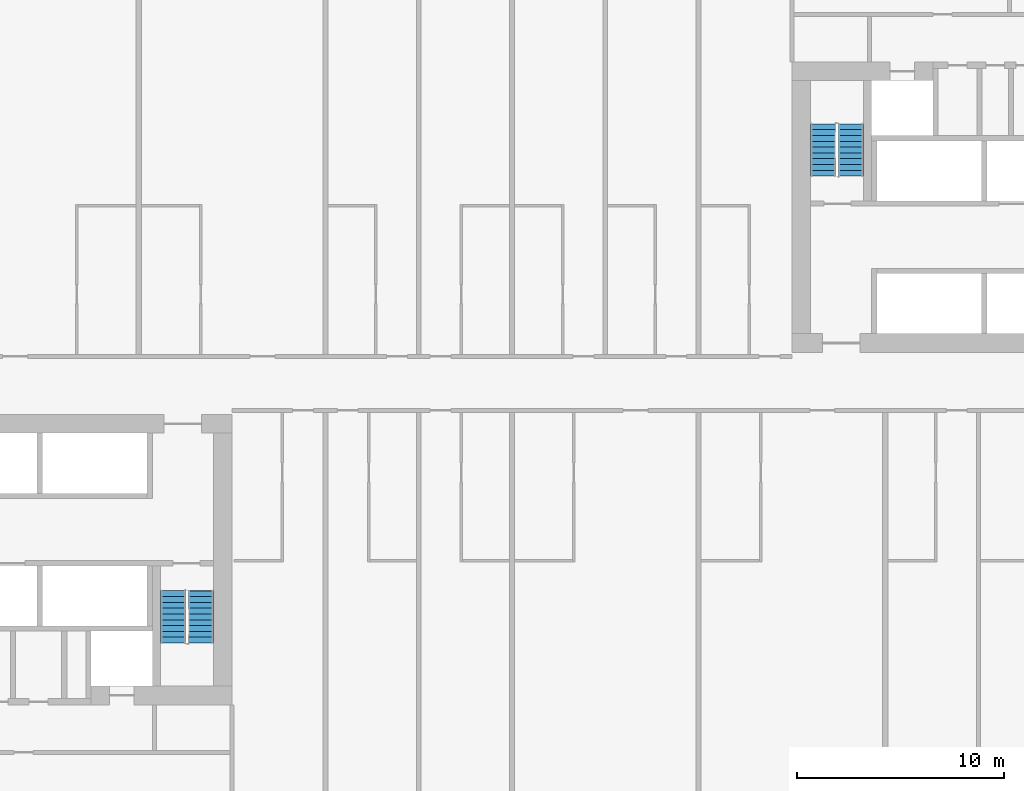
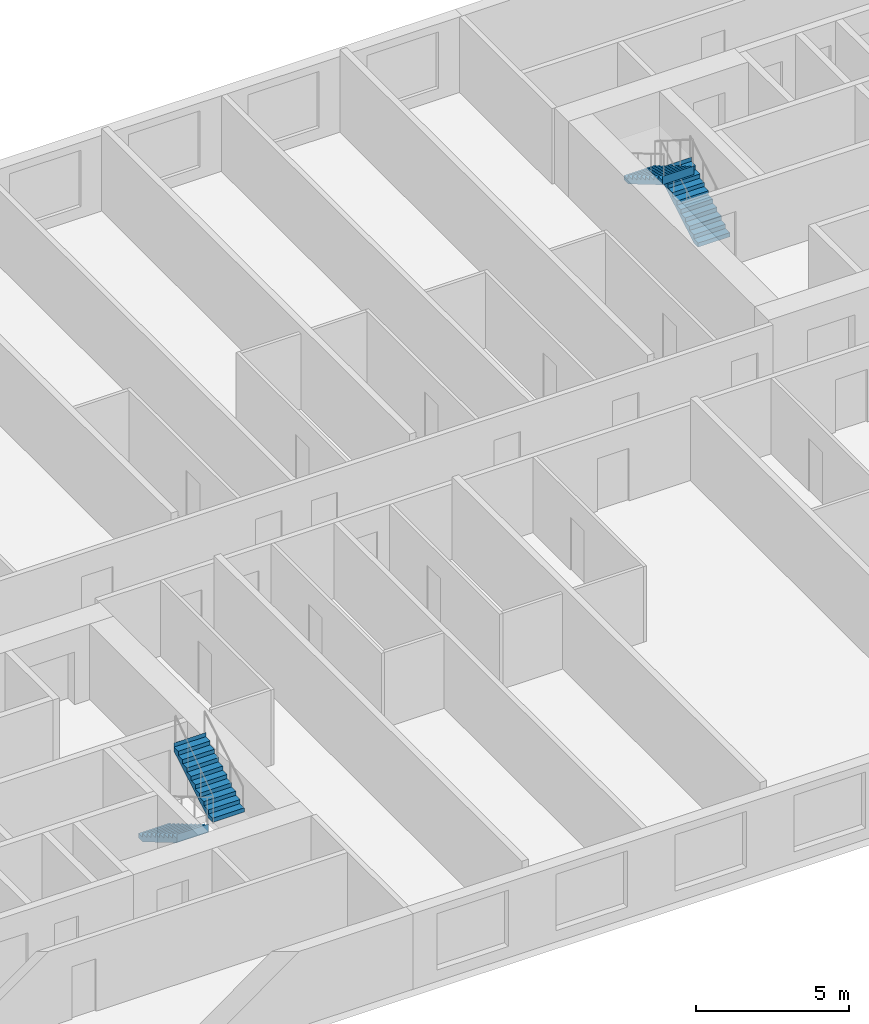
# One storey, part 10 of 12: 4 stair flights, 2 elements without a shape of their own.
"""IFC4 building model written with IfcOpenShell, lengths in metres."""

from ifc_helpers import new_model, si_unit, direction, frame, origin, place, context, subcontext, project, spatial, faceted_brep, material, type_object, element, aggregate, save


model = new_model("IFC4")

# Units and contexts
model_context = context("Model", 3, precision=1e-05, world=origin(), true_north=direction((0.0, 1.0)))
body_context = subcontext(model_context, "Body", "Model", "MODEL_VIEW")
ifc_project = project(units=[si_unit("LENGTHUNIT", "METRE"), si_unit("AREAUNIT", "SQUARE_METRE"), si_unit("VOLUMEUNIT", "CUBIC_METRE"), si_unit("PLANEANGLEUNIT", "RADIAN"), si_unit("MASSUNIT", "GRAM", prefix="KILO")], contexts=[model_context])

# Site, building, storey
site_placement = place(None, origin())
site = spatial("IfcSite", under=ifc_project, at=site_placement, CompositionType="ELEMENT")
building_placement = place(site_placement, origin())
building = spatial("IfcBuilding", under=site, at=building_placement, Name="Kajstack Hotel Tower", CompositionType="ELEMENT")
storey_placement = place(building_placement, frame((0.0, 0.0, 76.5)))
storey = spatial("IfcBuildingStorey", under=building, at=storey_placement, Name="L14", CompositionType="ELEMENT", Elevation=76.5)

# Stair, stair flights
ifc_material = material(Name="Concrete C40/50", Category="concrete")
stair_type = type_object("IfcStairType", Name="Exit stair 1200", PredefinedType="HALF_TURN_STAIR", material=ifc_material)
stair_1_placement = place(storey_placement, origin())
stair_1 = element("IfcStair", 1, at=stair_1_placement, inside=storey, type_object=stair_type, Name="L14 stair W2", PredefinedType="HALF_TURN_STAIR")
stair_flight_type = type_object("IfcStairFlightType", Name="Exit stair flight 1200", PredefinedType="STRAIGHT", material=ifc_material)
stair_flight_1_placement = place(storey_placement, frame((-16.35009765625, -10.0, 0.0), z_axis=(0.0, 0.0, 1.0), x_axis=(0.0, -1.0, 0.0)))
stair_flight_1 = element("IfcStairFlight", 2, at=stair_flight_1_placement, type_object=stair_flight_type, Name="W2 flight 1", NumberOfRisers=10, NumberOfTreads=9, PredefinedType="STRAIGHT", RiserHeight=0.165, TreadLength=0.28, context=body_context, shape_type="Brep", body=[
    faceted_brep([(0.295654296875, -0.60009765625, 0.0), (2.5205078125, -0.60009765625, 1.31103515625), (2.5205078125, -0.60009765625, 1.64990234375), (2.52001953125, -0.60009765625, 1.64990234375), (2.52001953125, -0.60009765625, 1.485107421875), (2.239990234375, -0.60009765625, 1.485107421875), (2.239990234375, -0.60009765625, 1.320068359375), (1.9599609375, -0.60009765625, 1.320068359375), (1.9599609375, -0.60009765625, 1.155029296875), (1.679931640625, -0.60009765625, 1.155029296875), (1.679931640625, -0.60009765625, 0.989990234375), (1.39990234375, -0.60009765625, 0.989990234375), (1.39990234375, -0.60009765625, 0.824951171875), (1.1201171875, -0.60009765625, 0.824951171875), (1.1201171875, -0.60009765625, 0.659912109375), (0.840087890625, -0.60009765625, 0.659912109375), (0.840087890625, -0.60009765625, 0.4951171875), (0.56005859375, -0.60009765625, 0.4951171875), (0.56005859375, -0.60009765625, 0.330078125), (0.280029296875, -0.60009765625, 0.330078125), (0.280029296875, -0.60009765625, 0.1650390625), (-0.00048828125, -0.60009765625, 0.1650390625), (-0.00048828125, -0.60009765625, 0.0), (-0.00048828125, 0.60009765625, 0.0), (-0.00048828125, 0.60009765625, 0.1650390625), (0.280029296875, 0.60009765625, 0.1650390625), (0.280029296875, 0.60009765625, 0.330078125), (0.56005859375, 0.60009765625, 0.330078125), (0.56005859375, 0.60009765625, 0.4951171875), (0.840087890625, 0.60009765625, 0.4951171875), (0.840087890625, 0.60009765625, 0.659912109375), (1.1201171875, 0.60009765625, 0.659912109375), (1.1201171875, 0.60009765625, 0.824951171875), (1.39990234375, 0.60009765625, 0.824951171875), (1.39990234375, 0.60009765625, 0.989990234375), (1.679931640625, 0.60009765625, 0.989990234375), (1.679931640625, 0.60009765625, 1.155029296875), (1.9599609375, 0.60009765625, 1.155029296875), (1.9599609375, 0.60009765625, 1.320068359375), (2.239990234375, 0.60009765625, 1.320068359375), (2.239990234375, 0.60009765625, 1.485107421875), (2.52001953125, 0.60009765625, 1.485107421875), (2.52001953125, 0.60009765625, 1.64990234375), (2.5205078125, 0.60009765625, 1.64990234375), (2.5205078125, 0.60009765625, 1.31103515625), (0.295654296875, 0.60009765625, 0.0), (-0.00048828125, -0.300048828125, 0.1650390625), (-0.00048828125, 0.0, 0.1650390625), (-0.00048828125, 0.300048828125, 0.1650390625), (-0.00048828125, 0.300048828125, 0.0), (-0.00048828125, 0.0, 0.0), (-0.00048828125, -0.300048828125, 0.0), (0.280029296875, -0.300048828125, 0.1650390625), (0.280029296875, 0.0, 0.1650390625), (0.280029296875, 0.300048828125, 0.1650390625), (0.280029296875, -0.300048828125, 0.330078125), (0.280029296875, 0.0, 0.330078125), (0.280029296875, 0.300048828125, 0.330078125), (0.56005859375, -0.300048828125, 0.330078125), (0.56005859375, 0.0, 0.330078125), (0.56005859375, 0.300048828125, 0.330078125), (0.56005859375, -0.300048828125, 0.4951171875), (0.56005859375, 0.0, 0.4951171875), (0.56005859375, 0.300048828125, 0.4951171875), (0.840087890625, -0.300048828125, 0.4951171875), (0.840087890625, 0.0, 0.4951171875), (0.840087890625, 0.300048828125, 0.4951171875), (0.840087890625, -0.300048828125, 0.659912109375), (0.840087890625, 0.0, 0.659912109375), (0.840087890625, 0.300048828125, 0.659912109375), (1.1201171875, -0.300048828125, 0.659912109375), (1.1201171875, 0.0, 0.659912109375), (1.1201171875, 0.300048828125, 0.659912109375), (1.1201171875, -0.300048828125, 0.824951171875), (1.1201171875, 0.0, 0.824951171875), (1.1201171875, 0.300048828125, 0.824951171875), (1.39990234375, -0.300048828125, 0.824951171875), (1.39990234375, 0.0, 0.824951171875), (1.39990234375, 0.300048828125, 0.824951171875), (1.39990234375, -0.300048828125, 0.989990234375), (1.39990234375, 0.0, 0.989990234375), (1.39990234375, 0.300048828125, 0.989990234375), (1.679931640625, -0.300048828125, 0.989990234375), (1.679931640625, 0.0, 0.989990234375), (1.679931640625, 0.300048828125, 0.989990234375), (1.679931640625, -0.300048828125, 1.155029296875), (1.679931640625, 0.0, 1.155029296875), (1.679931640625, 0.300048828125, 1.155029296875), (1.9599609375, -0.300048828125, 1.155029296875), (1.9599609375, 0.0, 1.155029296875), (1.9599609375, 0.300048828125, 1.155029296875), (1.9599609375, -0.300048828125, 1.320068359375), (1.9599609375, 0.0, 1.320068359375), (1.9599609375, 0.300048828125, 1.320068359375), (2.239990234375, -0.300048828125, 1.320068359375), (2.239990234375, 0.0, 1.320068359375), (2.239990234375, 0.300048828125, 1.320068359375), (2.239990234375, -0.300048828125, 1.485107421875), (2.239990234375, 0.0, 1.485107421875), (2.239990234375, 0.300048828125, 1.485107421875), (2.52001953125, -0.300048828125, 1.485107421875), (2.52001953125, 0.0, 1.485107421875), (2.52001953125, 0.300048828125, 1.485107421875), (2.52001953125, -0.300048828125, 1.64990234375), (2.52001953125, 0.0, 1.64990234375), (2.52001953125, 0.300048828125, 1.64990234375), (2.5205078125, -0.300048828125, 1.64990234375), (2.5205078125, 0.0, 1.64990234375), (2.5205078125, 0.300048828125, 1.64990234375), (2.5205078125, -0.300048828125, 1.31103515625), (2.5205078125, 0.0, 1.31103515625), (2.5205078125, 0.300048828125, 1.31103515625), (0.295654296875, -0.300048828125, 0.0), (0.295654296875, 0.0, 0.0), (0.295654296875, 0.300048828125, 0.0)], [[[0, 1, 2, 3, 4, 5, 6, 7, 8, 9, 10, 11, 12, 13, 14, 15, 16, 17, 18, 19, 20, 21, 22]], [[23, 24, 25, 26, 27, 28, 29, 30, 31, 32, 33, 34, 35, 36, 37, 38, 39, 40, 41, 42, 43, 44, 45]], [[21, 46, 47, 48, 24, 23, 49, 50, 51, 22]], [[20, 52, 53, 54, 25, 24, 48, 47, 46, 21]], [[19, 55, 56, 57, 26, 25, 54, 53, 52, 20]], [[18, 58, 59, 60, 27, 26, 57, 56, 55, 19]], [[17, 61, 62, 63, 28, 27, 60, 59, 58, 18]], [[16, 64, 65, 66, 29, 28, 63, 62, 61, 17]], [[15, 67, 68, 69, 30, 29, 66, 65, 64, 16]], [[14, 70, 71, 72, 31, 30, 69, 68, 67, 15]], [[13, 73, 74, 75, 32, 31, 72, 71, 70, 14]], [[12, 76, 77, 78, 33, 32, 75, 74, 73, 13]], [[11, 79, 80, 81, 34, 33, 78, 77, 76, 12]], [[10, 82, 83, 84, 35, 34, 81, 80, 79, 11]], [[9, 85, 86, 87, 36, 35, 84, 83, 82, 10]], [[8, 88, 89, 90, 37, 36, 87, 86, 85, 9]], [[7, 91, 92, 93, 38, 37, 90, 89, 88, 8]], [[6, 94, 95, 96, 39, 38, 93, 92, 91, 7]], [[5, 97, 98, 99, 40, 39, 96, 95, 94, 6]], [[4, 100, 101, 102, 41, 40, 99, 98, 97, 5]], [[3, 103, 104, 105, 42, 41, 102, 101, 100, 4]], [[2, 106, 107, 108, 43, 42, 105, 104, 103, 3]], [[1, 109, 110, 111, 44, 43, 108, 107, 106, 2]], [[0, 112, 113, 114, 45, 44, 111, 110, 109, 1]], [[22, 51, 50, 49, 23, 45, 114, 113, 112, 0]]]),
])
stair_flight_2_placement = place(storey_placement, frame((-15.0, -12.52001953125, 1.64990234375), z_axis=(0.0, 0.0, 1.0), x_axis=(0.0, 1.0, 0.0)))
stair_flight_2 = element("IfcStairFlight", 3, at=stair_flight_2_placement, type_object=stair_flight_type, Name="W2 flight 2", NumberOfRisers=10, NumberOfTreads=9, PredefinedType="STRAIGHT", RiserHeight=0.165, TreadLength=0.28, context=body_context, shape_type="Brep", body=[
    faceted_brep([(0.295654296875, -0.60009765625, 0.0), (2.5205078125, -0.60009765625, 1.31103515625), (2.5205078125, -0.60009765625, 1.64990234375), (2.52001953125, -0.60009765625, 1.64990234375), (2.52001953125, -0.60009765625, 1.485107421875), (2.239990234375, -0.60009765625, 1.485107421875), (2.239990234375, -0.60009765625, 1.320068359375), (1.9599609375, -0.60009765625, 1.320068359375), (1.9599609375, -0.60009765625, 1.155029296875), (1.679931640625, -0.60009765625, 1.155029296875), (1.679931640625, -0.60009765625, 0.989990234375), (1.39990234375, -0.60009765625, 0.989990234375), (1.39990234375, -0.60009765625, 0.824951171875), (1.1201171875, -0.60009765625, 0.824951171875), (1.1201171875, -0.60009765625, 0.659912109375), (0.840087890625, -0.60009765625, 0.659912109375), (0.840087890625, -0.60009765625, 0.4951171875), (0.56005859375, -0.60009765625, 0.4951171875), (0.56005859375, -0.60009765625, 0.330078125), (0.280029296875, -0.60009765625, 0.330078125), (0.280029296875, -0.60009765625, 0.1650390625), (-0.00048828125, -0.60009765625, 0.1650390625), (-0.00048828125, -0.60009765625, 0.0), (-0.00048828125, 0.60009765625, 0.0), (-0.00048828125, 0.60009765625, 0.1650390625), (0.280029296875, 0.60009765625, 0.1650390625), (0.280029296875, 0.60009765625, 0.330078125), (0.56005859375, 0.60009765625, 0.330078125), (0.56005859375, 0.60009765625, 0.4951171875), (0.840087890625, 0.60009765625, 0.4951171875), (0.840087890625, 0.60009765625, 0.659912109375), (1.1201171875, 0.60009765625, 0.659912109375), (1.1201171875, 0.60009765625, 0.824951171875), (1.39990234375, 0.60009765625, 0.824951171875), (1.39990234375, 0.60009765625, 0.989990234375), (1.679931640625, 0.60009765625, 0.989990234375), (1.679931640625, 0.60009765625, 1.155029296875), (1.9599609375, 0.60009765625, 1.155029296875), (1.9599609375, 0.60009765625, 1.320068359375), (2.239990234375, 0.60009765625, 1.320068359375), (2.239990234375, 0.60009765625, 1.485107421875), (2.52001953125, 0.60009765625, 1.485107421875), (2.52001953125, 0.60009765625, 1.64990234375), (2.5205078125, 0.60009765625, 1.64990234375), (2.5205078125, 0.60009765625, 1.31103515625), (0.295654296875, 0.60009765625, 0.0), (-0.00048828125, -0.300048828125, 0.1650390625), (-0.00048828125, 0.0, 0.1650390625), (-0.00048828125, 0.300048828125, 0.1650390625), (-0.00048828125, 0.300048828125, 0.0), (-0.00048828125, 0.0, 0.0), (-0.00048828125, -0.300048828125, 0.0), (0.280029296875, -0.300048828125, 0.1650390625), (0.280029296875, 0.0, 0.1650390625), (0.280029296875, 0.300048828125, 0.1650390625), (0.280029296875, -0.300048828125, 0.330078125), (0.280029296875, 0.0, 0.330078125), (0.280029296875, 0.300048828125, 0.330078125), (0.56005859375, -0.300048828125, 0.330078125), (0.56005859375, 0.0, 0.330078125), (0.56005859375, 0.300048828125, 0.330078125), (0.56005859375, -0.300048828125, 0.4951171875), (0.56005859375, 0.0, 0.4951171875), (0.56005859375, 0.300048828125, 0.4951171875), (0.840087890625, -0.300048828125, 0.4951171875), (0.840087890625, 0.0, 0.4951171875), (0.840087890625, 0.300048828125, 0.4951171875), (0.840087890625, -0.300048828125, 0.659912109375), (0.840087890625, 0.0, 0.659912109375), (0.840087890625, 0.300048828125, 0.659912109375), (1.1201171875, -0.300048828125, 0.659912109375), (1.1201171875, 0.0, 0.659912109375), (1.1201171875, 0.300048828125, 0.659912109375), (1.1201171875, -0.300048828125, 0.824951171875), (1.1201171875, 0.0, 0.824951171875), (1.1201171875, 0.300048828125, 0.824951171875), (1.39990234375, -0.300048828125, 0.824951171875), (1.39990234375, 0.0, 0.824951171875), (1.39990234375, 0.300048828125, 0.824951171875), (1.39990234375, -0.300048828125, 0.989990234375), (1.39990234375, 0.0, 0.989990234375), (1.39990234375, 0.300048828125, 0.989990234375), (1.679931640625, -0.300048828125, 0.989990234375), (1.679931640625, 0.0, 0.989990234375), (1.679931640625, 0.300048828125, 0.989990234375), (1.679931640625, -0.300048828125, 1.155029296875), (1.679931640625, 0.0, 1.155029296875), (1.679931640625, 0.300048828125, 1.155029296875), (1.9599609375, -0.300048828125, 1.155029296875), (1.9599609375, 0.0, 1.155029296875), (1.9599609375, 0.300048828125, 1.155029296875), (1.9599609375, -0.300048828125, 1.320068359375), (1.9599609375, 0.0, 1.320068359375), (1.9599609375, 0.300048828125, 1.320068359375), (2.239990234375, -0.300048828125, 1.320068359375), (2.239990234375, 0.0, 1.320068359375), (2.239990234375, 0.300048828125, 1.320068359375), (2.239990234375, -0.300048828125, 1.485107421875), (2.239990234375, 0.0, 1.485107421875), (2.239990234375, 0.300048828125, 1.485107421875), (2.52001953125, -0.300048828125, 1.485107421875), (2.52001953125, 0.0, 1.485107421875), (2.52001953125, 0.300048828125, 1.485107421875), (2.52001953125, -0.300048828125, 1.64990234375), (2.52001953125, 0.0, 1.64990234375), (2.52001953125, 0.300048828125, 1.64990234375), (2.5205078125, -0.300048828125, 1.64990234375), (2.5205078125, 0.0, 1.64990234375), (2.5205078125, 0.300048828125, 1.64990234375), (2.5205078125, -0.300048828125, 1.31103515625), (2.5205078125, 0.0, 1.31103515625), (2.5205078125, 0.300048828125, 1.31103515625), (0.295654296875, -0.300048828125, 0.0), (0.295654296875, 0.0, 0.0), (0.295654296875, 0.300048828125, 0.0)], [[[0, 1, 2, 3, 4, 5, 6, 7, 8, 9, 10, 11, 12, 13, 14, 15, 16, 17, 18, 19, 20, 21, 22]], [[23, 24, 25, 26, 27, 28, 29, 30, 31, 32, 33, 34, 35, 36, 37, 38, 39, 40, 41, 42, 43, 44, 45]], [[21, 46, 47, 48, 24, 23, 49, 50, 51, 22]], [[20, 52, 53, 54, 25, 24, 48, 47, 46, 21]], [[19, 55, 56, 57, 26, 25, 54, 53, 52, 20]], [[18, 58, 59, 60, 27, 26, 57, 56, 55, 19]], [[17, 61, 62, 63, 28, 27, 60, 59, 58, 18]], [[16, 64, 65, 66, 29, 28, 63, 62, 61, 17]], [[15, 67, 68, 69, 30, 29, 66, 65, 64, 16]], [[14, 70, 71, 72, 31, 30, 69, 68, 67, 15]], [[13, 73, 74, 75, 32, 31, 72, 71, 70, 14]], [[12, 76, 77, 78, 33, 32, 75, 74, 73, 13]], [[11, 79, 80, 81, 34, 33, 78, 77, 76, 12]], [[10, 82, 83, 84, 35, 34, 81, 80, 79, 11]], [[9, 85, 86, 87, 36, 35, 84, 83, 82, 10]], [[8, 88, 89, 90, 37, 36, 87, 86, 85, 9]], [[7, 91, 92, 93, 38, 37, 90, 89, 88, 8]], [[6, 94, 95, 96, 39, 38, 93, 92, 91, 7]], [[5, 97, 98, 99, 40, 39, 96, 95, 94, 6]], [[4, 100, 101, 102, 41, 40, 99, 98, 97, 5]], [[3, 103, 104, 105, 42, 41, 102, 101, 100, 4]], [[2, 106, 107, 108, 43, 42, 105, 104, 103, 3]], [[1, 109, 110, 111, 44, 43, 108, 107, 106, 2]], [[0, 112, 113, 114, 45, 44, 111, 110, 109, 1]], [[22, 51, 50, 49, 23, 45, 114, 113, 112, 0]]]),
])
aggregate(stair_1, [stair_flight_1, stair_flight_2])

stair_2_placement = place(storey_placement, origin())
stair_2 = element("IfcStair", 4, at=stair_2_placement, inside=storey, type_object=stair_type, Name="L14 stair E2", PredefinedType="HALF_TURN_STAIR")
stair_flight_3_placement = place(storey_placement, frame((16.35009765625, 10.0, 0.0), z_axis=(0.0, 0.0, 1.0), x_axis=(0.0, 1.0, 0.0)))
stair_flight_3 = element("IfcStairFlight", 5, at=stair_flight_3_placement, type_object=stair_flight_type, Name="E2 flight 1", NumberOfRisers=10, NumberOfTreads=9, PredefinedType="STRAIGHT", RiserHeight=0.165, TreadLength=0.28, context=body_context, shape_type="Brep", body=[
    faceted_brep([(0.295654296875, -0.60009765625, 0.0), (2.5205078125, -0.60009765625, 1.31103515625), (2.5205078125, -0.60009765625, 1.64990234375), (2.52001953125, -0.60009765625, 1.64990234375), (2.52001953125, -0.60009765625, 1.485107421875), (2.239990234375, -0.60009765625, 1.485107421875), (2.239990234375, -0.60009765625, 1.320068359375), (1.9599609375, -0.60009765625, 1.320068359375), (1.9599609375, -0.60009765625, 1.155029296875), (1.679931640625, -0.60009765625, 1.155029296875), (1.679931640625, -0.60009765625, 0.989990234375), (1.39990234375, -0.60009765625, 0.989990234375), (1.39990234375, -0.60009765625, 0.824951171875), (1.1201171875, -0.60009765625, 0.824951171875), (1.1201171875, -0.60009765625, 0.659912109375), (0.840087890625, -0.60009765625, 0.659912109375), (0.840087890625, -0.60009765625, 0.4951171875), (0.56005859375, -0.60009765625, 0.4951171875), (0.56005859375, -0.60009765625, 0.330078125), (0.280029296875, -0.60009765625, 0.330078125), (0.280029296875, -0.60009765625, 0.1650390625), (-0.00048828125, -0.60009765625, 0.1650390625), (-0.00048828125, -0.60009765625, 0.0), (-0.00048828125, 0.60009765625, 0.0), (-0.00048828125, 0.60009765625, 0.1650390625), (0.280029296875, 0.60009765625, 0.1650390625), (0.280029296875, 0.60009765625, 0.330078125), (0.56005859375, 0.60009765625, 0.330078125), (0.56005859375, 0.60009765625, 0.4951171875), (0.840087890625, 0.60009765625, 0.4951171875), (0.840087890625, 0.60009765625, 0.659912109375), (1.1201171875, 0.60009765625, 0.659912109375), (1.1201171875, 0.60009765625, 0.824951171875), (1.39990234375, 0.60009765625, 0.824951171875), (1.39990234375, 0.60009765625, 0.989990234375), (1.679931640625, 0.60009765625, 0.989990234375), (1.679931640625, 0.60009765625, 1.155029296875), (1.9599609375, 0.60009765625, 1.155029296875), (1.9599609375, 0.60009765625, 1.320068359375), (2.239990234375, 0.60009765625, 1.320068359375), (2.239990234375, 0.60009765625, 1.485107421875), (2.52001953125, 0.60009765625, 1.485107421875), (2.52001953125, 0.60009765625, 1.64990234375), (2.5205078125, 0.60009765625, 1.64990234375), (2.5205078125, 0.60009765625, 1.31103515625), (0.295654296875, 0.60009765625, 0.0), (-0.00048828125, -0.300048828125, 0.1650390625), (-0.00048828125, 0.0, 0.1650390625), (-0.00048828125, 0.300048828125, 0.1650390625), (-0.00048828125, 0.300048828125, 0.0), (-0.00048828125, 0.0, 0.0), (-0.00048828125, -0.300048828125, 0.0), (0.280029296875, -0.300048828125, 0.1650390625), (0.280029296875, 0.0, 0.1650390625), (0.280029296875, 0.300048828125, 0.1650390625), (0.280029296875, -0.300048828125, 0.330078125), (0.280029296875, 0.0, 0.330078125), (0.280029296875, 0.300048828125, 0.330078125), (0.56005859375, -0.300048828125, 0.330078125), (0.56005859375, 0.0, 0.330078125), (0.56005859375, 0.300048828125, 0.330078125), (0.56005859375, -0.300048828125, 0.4951171875), (0.56005859375, 0.0, 0.4951171875), (0.56005859375, 0.300048828125, 0.4951171875), (0.840087890625, -0.300048828125, 0.4951171875), (0.840087890625, 0.0, 0.4951171875), (0.840087890625, 0.300048828125, 0.4951171875), (0.840087890625, -0.300048828125, 0.659912109375), (0.840087890625, 0.0, 0.659912109375), (0.840087890625, 0.300048828125, 0.659912109375), (1.1201171875, -0.300048828125, 0.659912109375), (1.1201171875, 0.0, 0.659912109375), (1.1201171875, 0.300048828125, 0.659912109375), (1.1201171875, -0.300048828125, 0.824951171875), (1.1201171875, 0.0, 0.824951171875), (1.1201171875, 0.300048828125, 0.824951171875), (1.39990234375, -0.300048828125, 0.824951171875), (1.39990234375, 0.0, 0.824951171875), (1.39990234375, 0.300048828125, 0.824951171875), (1.39990234375, -0.300048828125, 0.989990234375), (1.39990234375, 0.0, 0.989990234375), (1.39990234375, 0.300048828125, 0.989990234375), (1.679931640625, -0.300048828125, 0.989990234375), (1.679931640625, 0.0, 0.989990234375), (1.679931640625, 0.300048828125, 0.989990234375), (1.679931640625, -0.300048828125, 1.155029296875), (1.679931640625, 0.0, 1.155029296875), (1.679931640625, 0.300048828125, 1.155029296875), (1.9599609375, -0.300048828125, 1.155029296875), (1.9599609375, 0.0, 1.155029296875), (1.9599609375, 0.300048828125, 1.155029296875), (1.9599609375, -0.300048828125, 1.320068359375), (1.9599609375, 0.0, 1.320068359375), (1.9599609375, 0.300048828125, 1.320068359375), (2.239990234375, -0.300048828125, 1.320068359375), (2.239990234375, 0.0, 1.320068359375), (2.239990234375, 0.300048828125, 1.320068359375), (2.239990234375, -0.300048828125, 1.485107421875), (2.239990234375, 0.0, 1.485107421875), (2.239990234375, 0.300048828125, 1.485107421875), (2.52001953125, -0.300048828125, 1.485107421875), (2.52001953125, 0.0, 1.485107421875), (2.52001953125, 0.300048828125, 1.485107421875), (2.52001953125, -0.300048828125, 1.64990234375), (2.52001953125, 0.0, 1.64990234375), (2.52001953125, 0.300048828125, 1.64990234375), (2.5205078125, -0.300048828125, 1.64990234375), (2.5205078125, 0.0, 1.64990234375), (2.5205078125, 0.300048828125, 1.64990234375), (2.5205078125, -0.300048828125, 1.31103515625), (2.5205078125, 0.0, 1.31103515625), (2.5205078125, 0.300048828125, 1.31103515625), (0.295654296875, -0.300048828125, 0.0), (0.295654296875, 0.0, 0.0), (0.295654296875, 0.300048828125, 0.0)], [[[0, 1, 2, 3, 4, 5, 6, 7, 8, 9, 10, 11, 12, 13, 14, 15, 16, 17, 18, 19, 20, 21, 22]], [[23, 24, 25, 26, 27, 28, 29, 30, 31, 32, 33, 34, 35, 36, 37, 38, 39, 40, 41, 42, 43, 44, 45]], [[21, 46, 47, 48, 24, 23, 49, 50, 51, 22]], [[20, 52, 53, 54, 25, 24, 48, 47, 46, 21]], [[19, 55, 56, 57, 26, 25, 54, 53, 52, 20]], [[18, 58, 59, 60, 27, 26, 57, 56, 55, 19]], [[17, 61, 62, 63, 28, 27, 60, 59, 58, 18]], [[16, 64, 65, 66, 29, 28, 63, 62, 61, 17]], [[15, 67, 68, 69, 30, 29, 66, 65, 64, 16]], [[14, 70, 71, 72, 31, 30, 69, 68, 67, 15]], [[13, 73, 74, 75, 32, 31, 72, 71, 70, 14]], [[12, 76, 77, 78, 33, 32, 75, 74, 73, 13]], [[11, 79, 80, 81, 34, 33, 78, 77, 76, 12]], [[10, 82, 83, 84, 35, 34, 81, 80, 79, 11]], [[9, 85, 86, 87, 36, 35, 84, 83, 82, 10]], [[8, 88, 89, 90, 37, 36, 87, 86, 85, 9]], [[7, 91, 92, 93, 38, 37, 90, 89, 88, 8]], [[6, 94, 95, 96, 39, 38, 93, 92, 91, 7]], [[5, 97, 98, 99, 40, 39, 96, 95, 94, 6]], [[4, 100, 101, 102, 41, 40, 99, 98, 97, 5]], [[3, 103, 104, 105, 42, 41, 102, 101, 100, 4]], [[2, 106, 107, 108, 43, 42, 105, 104, 103, 3]], [[1, 109, 110, 111, 44, 43, 108, 107, 106, 2]], [[0, 112, 113, 114, 45, 44, 111, 110, 109, 1]], [[22, 51, 50, 49, 23, 45, 114, 113, 112, 0]]]),
])
stair_flight_4_placement = place(storey_placement, frame((15.0, 12.52001953125, 1.64990234375), z_axis=(0.0, 0.0, 1.0), x_axis=(0.0, -1.0, 0.0)))
stair_flight_4 = element("IfcStairFlight", 6, at=stair_flight_4_placement, type_object=stair_flight_type, Name="E2 flight 2", NumberOfRisers=10, NumberOfTreads=9, PredefinedType="STRAIGHT", RiserHeight=0.165, TreadLength=0.28, context=body_context, shape_type="Brep", body=[
    faceted_brep([(0.295654296875, -0.60009765625, 0.0), (2.5205078125, -0.60009765625, 1.31103515625), (2.5205078125, -0.60009765625, 1.64990234375), (2.52001953125, -0.60009765625, 1.64990234375), (2.52001953125, -0.60009765625, 1.485107421875), (2.239990234375, -0.60009765625, 1.485107421875), (2.239990234375, -0.60009765625, 1.320068359375), (1.9599609375, -0.60009765625, 1.320068359375), (1.9599609375, -0.60009765625, 1.155029296875), (1.679931640625, -0.60009765625, 1.155029296875), (1.679931640625, -0.60009765625, 0.989990234375), (1.39990234375, -0.60009765625, 0.989990234375), (1.39990234375, -0.60009765625, 0.824951171875), (1.1201171875, -0.60009765625, 0.824951171875), (1.1201171875, -0.60009765625, 0.659912109375), (0.840087890625, -0.60009765625, 0.659912109375), (0.840087890625, -0.60009765625, 0.4951171875), (0.56005859375, -0.60009765625, 0.4951171875), (0.56005859375, -0.60009765625, 0.330078125), (0.280029296875, -0.60009765625, 0.330078125), (0.280029296875, -0.60009765625, 0.1650390625), (-0.00048828125, -0.60009765625, 0.1650390625), (-0.00048828125, -0.60009765625, 0.0), (-0.00048828125, 0.60009765625, 0.0), (-0.00048828125, 0.60009765625, 0.1650390625), (0.280029296875, 0.60009765625, 0.1650390625), (0.280029296875, 0.60009765625, 0.330078125), (0.56005859375, 0.60009765625, 0.330078125), (0.56005859375, 0.60009765625, 0.4951171875), (0.840087890625, 0.60009765625, 0.4951171875), (0.840087890625, 0.60009765625, 0.659912109375), (1.1201171875, 0.60009765625, 0.659912109375), (1.1201171875, 0.60009765625, 0.824951171875), (1.39990234375, 0.60009765625, 0.824951171875), (1.39990234375, 0.60009765625, 0.989990234375), (1.679931640625, 0.60009765625, 0.989990234375), (1.679931640625, 0.60009765625, 1.155029296875), (1.9599609375, 0.60009765625, 1.155029296875), (1.9599609375, 0.60009765625, 1.320068359375), (2.239990234375, 0.60009765625, 1.320068359375), (2.239990234375, 0.60009765625, 1.485107421875), (2.52001953125, 0.60009765625, 1.485107421875), (2.52001953125, 0.60009765625, 1.64990234375), (2.5205078125, 0.60009765625, 1.64990234375), (2.5205078125, 0.60009765625, 1.31103515625), (0.295654296875, 0.60009765625, 0.0), (-0.00048828125, -0.300048828125, 0.1650390625), (-0.00048828125, 0.0, 0.1650390625), (-0.00048828125, 0.300048828125, 0.1650390625), (-0.00048828125, 0.300048828125, 0.0), (-0.00048828125, 0.0, 0.0), (-0.00048828125, -0.300048828125, 0.0), (0.280029296875, -0.300048828125, 0.1650390625), (0.280029296875, 0.0, 0.1650390625), (0.280029296875, 0.300048828125, 0.1650390625), (0.280029296875, -0.300048828125, 0.330078125), (0.280029296875, 0.0, 0.330078125), (0.280029296875, 0.300048828125, 0.330078125), (0.56005859375, -0.300048828125, 0.330078125), (0.56005859375, 0.0, 0.330078125), (0.56005859375, 0.300048828125, 0.330078125), (0.56005859375, -0.300048828125, 0.4951171875), (0.56005859375, 0.0, 0.4951171875), (0.56005859375, 0.300048828125, 0.4951171875), (0.840087890625, -0.300048828125, 0.4951171875), (0.840087890625, 0.0, 0.4951171875), (0.840087890625, 0.300048828125, 0.4951171875), (0.840087890625, -0.300048828125, 0.659912109375), (0.840087890625, 0.0, 0.659912109375), (0.840087890625, 0.300048828125, 0.659912109375), (1.1201171875, -0.300048828125, 0.659912109375), (1.1201171875, 0.0, 0.659912109375), (1.1201171875, 0.300048828125, 0.659912109375), (1.1201171875, -0.300048828125, 0.824951171875), (1.1201171875, 0.0, 0.824951171875), (1.1201171875, 0.300048828125, 0.824951171875), (1.39990234375, -0.300048828125, 0.824951171875), (1.39990234375, 0.0, 0.824951171875), (1.39990234375, 0.300048828125, 0.824951171875), (1.39990234375, -0.300048828125, 0.989990234375), (1.39990234375, 0.0, 0.989990234375), (1.39990234375, 0.300048828125, 0.989990234375), (1.679931640625, -0.300048828125, 0.989990234375), (1.679931640625, 0.0, 0.989990234375), (1.679931640625, 0.300048828125, 0.989990234375), (1.679931640625, -0.300048828125, 1.155029296875), (1.679931640625, 0.0, 1.155029296875), (1.679931640625, 0.300048828125, 1.155029296875), (1.9599609375, -0.300048828125, 1.155029296875), (1.9599609375, 0.0, 1.155029296875), (1.9599609375, 0.300048828125, 1.155029296875), (1.9599609375, -0.300048828125, 1.320068359375), (1.9599609375, 0.0, 1.320068359375), (1.9599609375, 0.300048828125, 1.320068359375), (2.239990234375, -0.300048828125, 1.320068359375), (2.239990234375, 0.0, 1.320068359375), (2.239990234375, 0.300048828125, 1.320068359375), (2.239990234375, -0.300048828125, 1.485107421875), (2.239990234375, 0.0, 1.485107421875), (2.239990234375, 0.300048828125, 1.485107421875), (2.52001953125, -0.300048828125, 1.485107421875), (2.52001953125, 0.0, 1.485107421875), (2.52001953125, 0.300048828125, 1.485107421875), (2.52001953125, -0.300048828125, 1.64990234375), (2.52001953125, 0.0, 1.64990234375), (2.52001953125, 0.300048828125, 1.64990234375), (2.5205078125, -0.300048828125, 1.64990234375), (2.5205078125, 0.0, 1.64990234375), (2.5205078125, 0.300048828125, 1.64990234375), (2.5205078125, -0.300048828125, 1.31103515625), (2.5205078125, 0.0, 1.31103515625), (2.5205078125, 0.300048828125, 1.31103515625), (0.295654296875, -0.300048828125, 0.0), (0.295654296875, 0.0, 0.0), (0.295654296875, 0.300048828125, 0.0)], [[[0, 1, 2, 3, 4, 5, 6, 7, 8, 9, 10, 11, 12, 13, 14, 15, 16, 17, 18, 19, 20, 21, 22]], [[23, 24, 25, 26, 27, 28, 29, 30, 31, 32, 33, 34, 35, 36, 37, 38, 39, 40, 41, 42, 43, 44, 45]], [[21, 46, 47, 48, 24, 23, 49, 50, 51, 22]], [[20, 52, 53, 54, 25, 24, 48, 47, 46, 21]], [[19, 55, 56, 57, 26, 25, 54, 53, 52, 20]], [[18, 58, 59, 60, 27, 26, 57, 56, 55, 19]], [[17, 61, 62, 63, 28, 27, 60, 59, 58, 18]], [[16, 64, 65, 66, 29, 28, 63, 62, 61, 17]], [[15, 67, 68, 69, 30, 29, 66, 65, 64, 16]], [[14, 70, 71, 72, 31, 30, 69, 68, 67, 15]], [[13, 73, 74, 75, 32, 31, 72, 71, 70, 14]], [[12, 76, 77, 78, 33, 32, 75, 74, 73, 13]], [[11, 79, 80, 81, 34, 33, 78, 77, 76, 12]], [[10, 82, 83, 84, 35, 34, 81, 80, 79, 11]], [[9, 85, 86, 87, 36, 35, 84, 83, 82, 10]], [[8, 88, 89, 90, 37, 36, 87, 86, 85, 9]], [[7, 91, 92, 93, 38, 37, 90, 89, 88, 8]], [[6, 94, 95, 96, 39, 38, 93, 92, 91, 7]], [[5, 97, 98, 99, 40, 39, 96, 95, 94, 6]], [[4, 100, 101, 102, 41, 40, 99, 98, 97, 5]], [[3, 103, 104, 105, 42, 41, 102, 101, 100, 4]], [[2, 106, 107, 108, 43, 42, 105, 104, 103, 3]], [[1, 109, 110, 111, 44, 43, 108, 107, 106, 2]], [[0, 112, 113, 114, 45, 44, 111, 110, 109, 1]], [[22, 51, 50, 49, 23, 45, 114, 113, 112, 0]]]),
])
aggregate(stair_2, [stair_flight_3, stair_flight_4])

save(model, "model.ifc")
